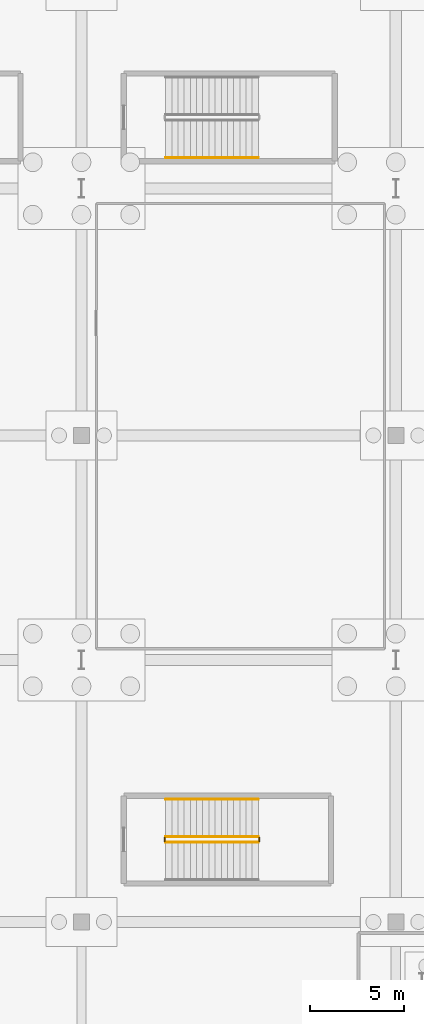
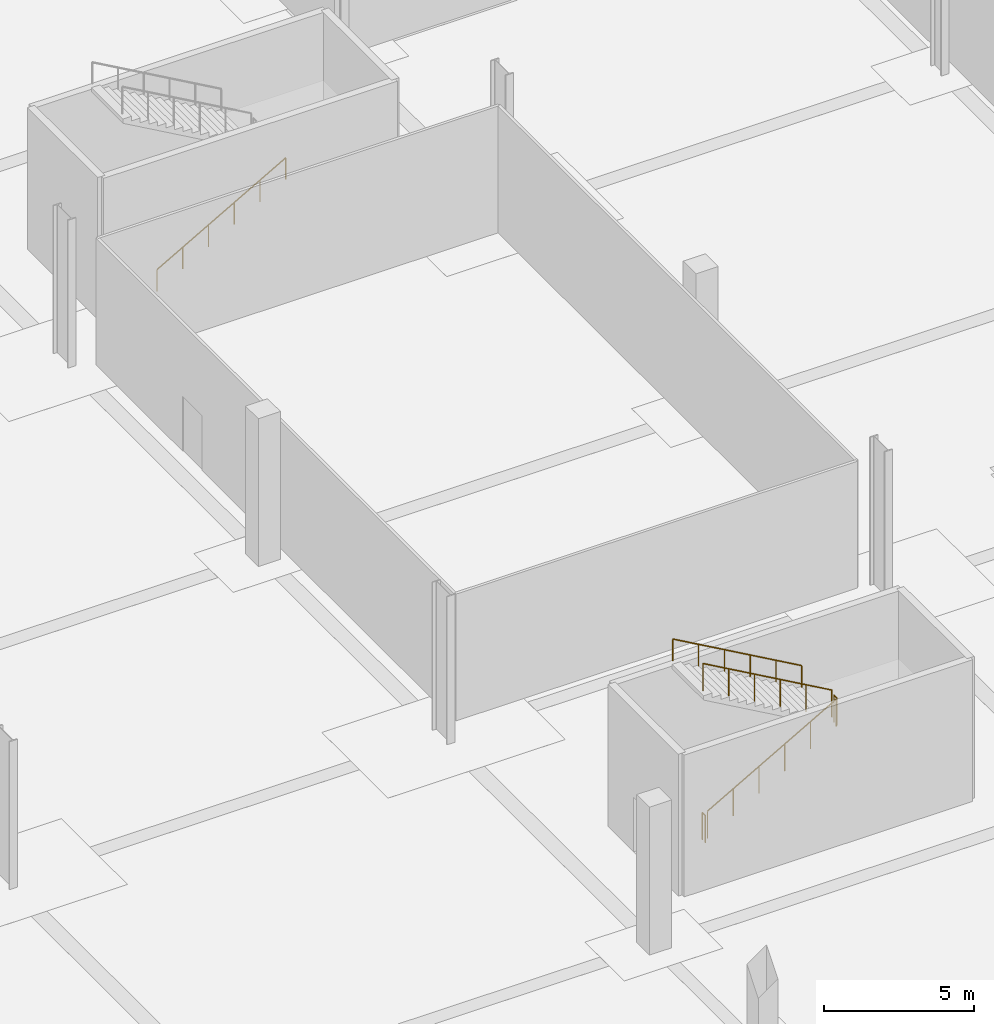
# One storey, part 43 of 46: 6 railings.
"""IFC4 building model written with IfcOpenShell, lengths in metres."""

from ifc_helpers import new_model, si_unit, direction, frame, origin, origin_2d, place, context, subcontext, project, spatial, circle, extrude, material, type_object, element, save


model = new_model("IFC4")

# Units and contexts
model_context = context("Model", 3, precision=1e-05, world=origin(), true_north=direction((0.0, 1.0)))
body_context = subcontext(model_context, "Body", "Model", "MODEL_VIEW")
ifc_project = project(units=[si_unit("LENGTHUNIT", "METRE"), si_unit("AREAUNIT", "SQUARE_METRE"), si_unit("VOLUMEUNIT", "CUBIC_METRE"), si_unit("PLANEANGLEUNIT", "RADIAN"), si_unit("MASSUNIT", "GRAM", prefix="KILO")], contexts=[model_context])

# Site, building, storey
site_placement = place(None, origin())
site = spatial("IfcSite", under=ifc_project, at=site_placement, CompositionType="ELEMENT")
building_placement = place(site_placement, origin())
building = spatial("IfcBuilding", under=site, at=building_placement, Name="Kimbaza Rail Terminus", CompositionType="ELEMENT")
storey_placement = place(building_placement, frame((0.0, 0.0, -6.0)))
storey = spatial("IfcBuildingStorey", under=building, at=storey_placement, Name="B1", CompositionType="ELEMENT", Elevation=-6.0)

# Railings
ifc_material_1 = material(Name="Brushed stainless steel handrail", Category="steel")
railing_type_1 = type_object("IfcRailingType", Name="ARC-RL-HND92", PredefinedType="HANDRAIL", material=ifc_material_1)
railing_1_placement = place(storey_placement, frame((143.699951171875, 81.85009765625, 0.1875)))
element("IfcRailing", 1, at=railing_1_placement, inside=storey, type_object=railing_type_1, Name="B1 ST-C2 stair handrail 1", PredefinedType="HANDRAIL", context=body_context, shape_type="SweptSolid", body=[
    extrude(circle(Radius=0.02392578125, at=origin_2d()), frame((0.0, 0.0, 0.8759765625), z_axis=(0.869454464302, 0.0, 0.494013091431), x_axis=(0.0, 1.0, 0.0)), (0.0, 0.0, 1.0), 5.693115234375),
    extrude(circle(Radius=0.02099609375, at=origin_2d()), origin(), (0.0, 0.0, 1.0), 0.851806640625),
    extrude(circle(Radius=0.02099609375, at=origin_2d()), frame((0.989990234375, 0.0, 0.5625)), (0.0, 0.0, 1.0), 0.851806640625),
    extrude(circle(Radius=0.02099609375, at=origin_2d()), frame((1.97998046875, 0.0, 1.125)), (0.0, 0.0, 1.0), 0.851806640625),
    extrude(circle(Radius=0.02099609375, at=origin_2d()), frame((2.969970703125, 0.0, 1.6875)), (0.0, 0.0, 1.0), 0.851806640625),
    extrude(circle(Radius=0.02099609375, at=origin_2d()), frame((3.9599609375, 0.0, 2.25)), (0.0, 0.0, 1.0), 0.851806640625),
    extrude(circle(Radius=0.02099609375, at=origin_2d()), frame((4.949951171875, 0.0, 2.8125)), (0.0, 0.0, 1.0), 0.851806640625),
])
railing_2_placement = place(storey_placement, frame((148.64990234375, 47.550048828125, 3.1875)))
element("IfcRailing", 2, at=railing_2_placement, inside=storey, type_object=railing_type_1, Name="B1 ST-S2 stair handrail 2", PredefinedType="HANDRAIL", context=body_context, shape_type="SweptSolid", body=[
    extrude(circle(Radius=0.02392578125, at=origin_2d()), frame((0.0, 0.0, 0.8759765625), z_axis=(-0.869454464302, 0.0, 0.494013091431), x_axis=(0.0, -1.0, 0.0)), (0.0, 0.0, 1.0), 5.693115234375),
    extrude(circle(Radius=0.02099609375, at=origin_2d()), origin(), (0.0, 0.0, 1.0), 0.851806640625),
    extrude(circle(Radius=0.02099609375, at=origin_2d()), frame((-0.989990234375, 0.0, 0.5625)), (0.0, 0.0, 1.0), 0.851806640625),
    extrude(circle(Radius=0.02099609375, at=origin_2d()), frame((-1.97998046875, 0.0, 1.125)), (0.0, 0.0, 1.0), 0.851806640625),
    extrude(circle(Radius=0.02099609375, at=origin_2d()), frame((-2.969970703125, 0.0, 1.6875)), (0.0, 0.0, 1.0), 0.851806640625),
    extrude(circle(Radius=0.02099609375, at=origin_2d()), frame((-3.9599609375, 0.0, 2.25)), (0.0, 0.0, 1.0), 0.851806640625),
    extrude(circle(Radius=0.02099609375, at=origin_2d()), frame((-4.949951171875, 0.0, 2.8125)), (0.0, 0.0, 1.0), 0.851806640625),
])
ifc_material_2 = material(Name="Painted tubular steel stair well guard", Category="steel")
railing_type_2 = type_object("IfcRailingType", Name="ARC-RL-STGRD", PredefinedType="GUARDRAIL", material=ifc_material_2)
railing_3_placement = place(storey_placement, frame((143.699951171875, 45.25, 0.1875)))
element("IfcRailing", 3, at=railing_3_placement, inside=storey, type_object=railing_type_2, Name="B1 ST-S2 stair guard 1", PredefinedType="GUARDRAIL", context=body_context, shape_type="SweptSolid", body=[
    extrude(circle(Radius=0.02392578125, at=origin_2d()), frame((0.0, 0.0, 1.09619140625), z_axis=(0.869454464302, 0.0, 0.494013091431), x_axis=(0.0, 1.0, 0.0)), (0.0, 0.0, 1.0), 5.693115234375),
    extrude(circle(Radius=0.02099609375, at=origin_2d()), origin(), (0.0, 0.0, 1.0), 1.072021484375),
    extrude(circle(Radius=0.02099609375, at=origin_2d()), frame((0.989990234375, 0.0, 0.5625)), (0.0, 0.0, 1.0), 1.072021484375),
    extrude(circle(Radius=0.02099609375, at=origin_2d()), frame((1.97998046875, 0.0, 1.125)), (0.0, 0.0, 1.0), 1.072021484375),
    extrude(circle(Radius=0.02099609375, at=origin_2d()), frame((2.969970703125, 0.0, 1.6875)), (0.0, 0.0, 1.0), 1.072021484375),
    extrude(circle(Radius=0.02099609375, at=origin_2d()), frame((3.9599609375, 0.0, 2.25)), (0.0, 0.0, 1.0), 1.072021484375),
    extrude(circle(Radius=0.02099609375, at=origin_2d()), frame((4.949951171875, 0.0, 2.8125)), (0.0, 0.0, 1.0), 1.072021484375),
])
railing_4_placement = place(storey_placement, frame((148.699951171875, 45.300048828125, 3.0)))
element("IfcRailing", 4, at=railing_4_placement, inside=storey, type_object=railing_type_2, Name="B1 ST-S2 stair guard 2", PredefinedType="GUARDRAIL", context=body_context, shape_type="SweptSolid", body=[
    extrude(circle(Radius=0.02392578125, at=origin_2d()), frame((0.0, 0.0, 1.09619140625), z_axis=(0.0, 1.0, 0.0), x_axis=(-1.0, 0.0, 0.0)), (0.0, 0.0, 1.0), 0.199951171875),
    extrude(circle(Radius=0.02099609375, at=origin_2d()), origin(), (0.0, 0.0, 1.0), 1.072021484375),
    extrude(circle(Radius=0.02099609375, at=origin_2d()), frame((0.0, 0.199951171875, 0.0)), (0.0, 0.0, 1.0), 1.072021484375),
])
railing_5_placement = place(storey_placement, frame((148.64990234375, 45.550048828125, 3.1875)))
element("IfcRailing", 5, at=railing_5_placement, inside=storey, type_object=railing_type_2, Name="B1 ST-S2 stair guard 3", PredefinedType="GUARDRAIL", context=body_context, shape_type="SweptSolid", body=[
    extrude(circle(Radius=0.02392578125, at=origin_2d()), frame((0.0, 0.0, 1.09619140625), z_axis=(-0.869454464302, 0.0, 0.494013091431), x_axis=(0.0, -1.0, 0.0)), (0.0, 0.0, 1.0), 5.693115234375),
    extrude(circle(Radius=0.02099609375, at=origin_2d()), origin(), (0.0, 0.0, 1.0), 1.072021484375),
    extrude(circle(Radius=0.02099609375, at=origin_2d()), frame((-0.989990234375, 0.0, 0.5625)), (0.0, 0.0, 1.0), 1.072021484375),
    extrude(circle(Radius=0.02099609375, at=origin_2d()), frame((-1.97998046875, 0.0, 1.125)), (0.0, 0.0, 1.0), 1.072021484375),
    extrude(circle(Radius=0.02099609375, at=origin_2d()), frame((-2.969970703125, 0.0, 1.6875)), (0.0, 0.0, 1.0), 1.072021484375),
    extrude(circle(Radius=0.02099609375, at=origin_2d()), frame((-3.9599609375, 0.0, 2.25)), (0.0, 0.0, 1.0), 1.072021484375),
    extrude(circle(Radius=0.02099609375, at=origin_2d()), frame((-4.949951171875, 0.0, 2.8125)), (0.0, 0.0, 1.0), 1.072021484375),
])
railing_6_placement = place(storey_placement, frame((143.64990234375, 45.300048828125, 0.0)))
element("IfcRailing", 6, at=railing_6_placement, inside=storey, type_object=railing_type_2, Name="B1 ST-S2 stair guard 4", PredefinedType="GUARDRAIL", context=body_context, shape_type="SweptSolid", body=[
    extrude(circle(Radius=0.02392578125, at=origin_2d()), frame((0.0, 0.0, 1.09619140625), z_axis=(0.0, 1.0, 0.0), x_axis=(-1.0, 0.0, 0.0)), (0.0, 0.0, 1.0), 0.199951171875),
    extrude(circle(Radius=0.02099609375, at=origin_2d()), origin(), (0.0, 0.0, 1.0), 1.072021484375),
    extrude(circle(Radius=0.02099609375, at=origin_2d()), frame((0.0, 0.199951171875, 0.0)), (0.0, 0.0, 1.0), 1.072021484375),
])

save(model, "model.ifc")
